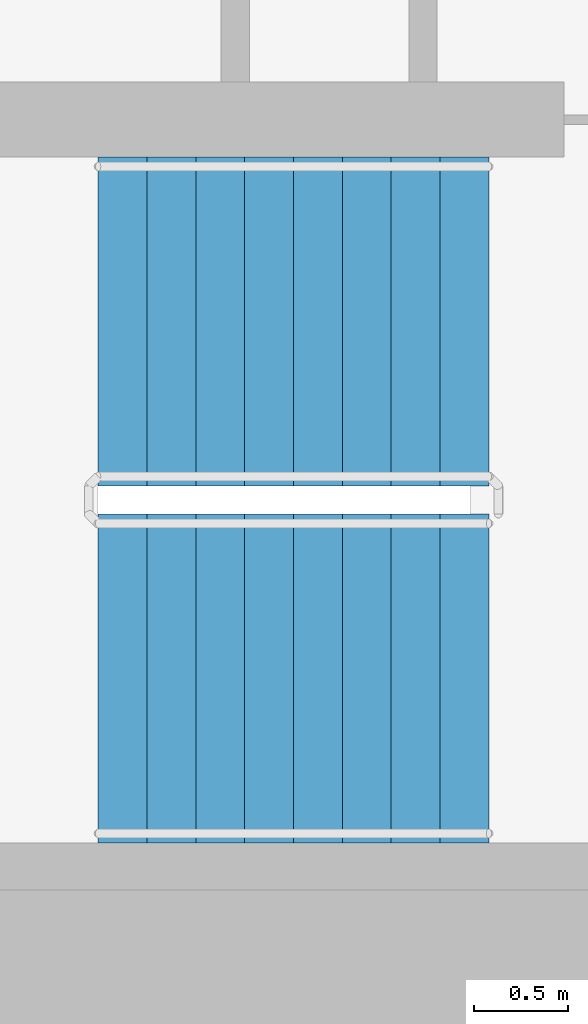
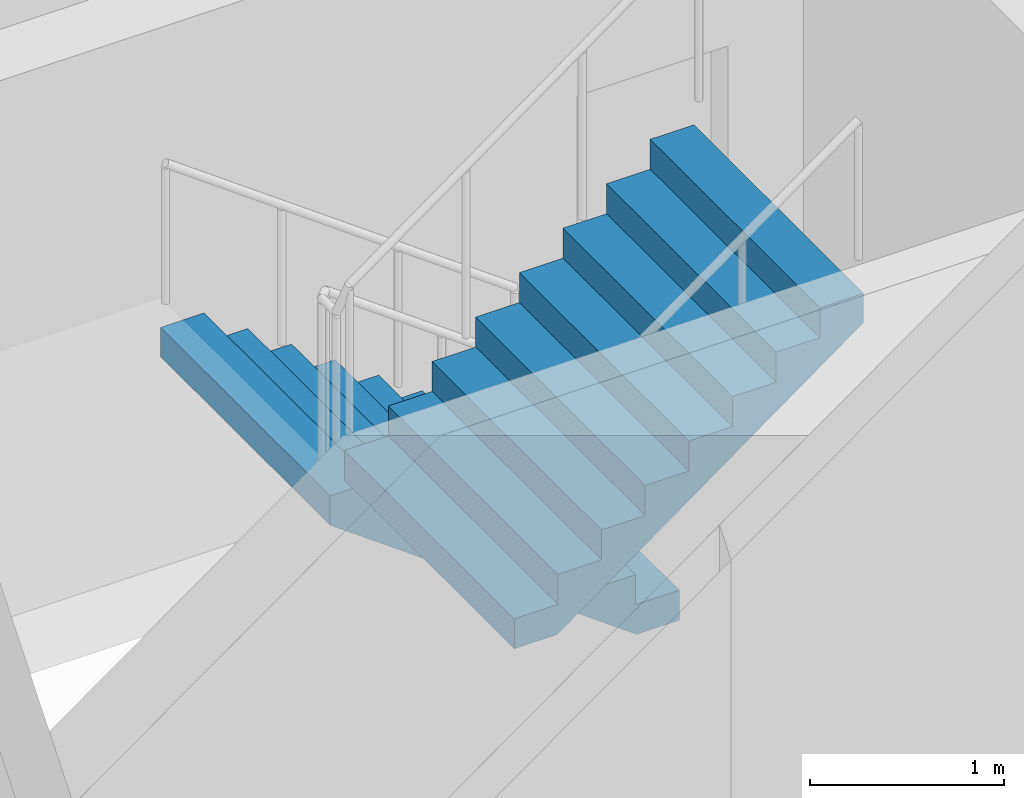
# One storey, part 15 of 21: 2 stair flights, 1 element without a shape of its own.
"""IFC4 building model written with IfcOpenShell, lengths in metres."""

from ifc_helpers import new_model, si_unit, direction, frame, origin, place, context, subcontext, project, spatial, faceted_brep, material, type_object, element, aggregate, save


model = new_model("IFC4")

# Units and contexts
model_context = context("Model", 3, precision=1e-05, world=origin(), true_north=direction((0.0, 1.0)))
body_context = subcontext(model_context, "Body", "Model", "MODEL_VIEW")
ifc_project = project(units=[si_unit("LENGTHUNIT", "METRE"), si_unit("AREAUNIT", "SQUARE_METRE"), si_unit("VOLUMEUNIT", "CUBIC_METRE"), si_unit("PLANEANGLEUNIT", "RADIAN"), si_unit("MASSUNIT", "GRAM", prefix="KILO")], contexts=[model_context])

# Site, building, storey
site_placement = place(None, origin())
site = spatial("IfcSite", under=ifc_project, at=site_placement, CompositionType="ELEMENT")
building_placement = place(site_placement, origin())
building = spatial("IfcBuilding", under=site, at=building_placement, Name="Ipe Terrace Towers", CompositionType="ELEMENT")
storey_placement = place(building_placement, frame((0.0, 0.0, 93.60009765625)))
storey = spatial("IfcBuildingStorey", under=building, at=storey_placement, Name="L25", CompositionType="ELEMENT", Elevation=93.60009765625)

# Stair, stair flights
ifc_material_1 = material(Name="Concrete C30/37", Category="concrete")
stair_type = type_object("IfcStairType", Name="Protected exit stair", PredefinedType="HALF_TURN_STAIR", material=ifc_material_1)
stair_placement = place(storey_placement, origin())
stair = element("IfcStair", 1, at=stair_placement, inside=storey, type_object=stair_type, Name="L25 Exit stair T1-C2", PredefinedType="HALF_TURN_STAIR")
ifc_material_2 = material(Name="Concrete C30/37", Category="concrete")
stair_flight_type = type_object("IfcStairFlightType", Name="Exit stair flight 1750", PredefinedType="STRAIGHT", material=ifc_material_2)
stair_flight_1_placement = place(storey_placement, frame((-45.699951171875, -2.77490234375, 0.0), z_axis=(0.0, 0.0, 1.0), x_axis=(-1.0, 0.0, 0.0)))
stair_flight_1 = element("IfcStairFlight", 2, at=stair_flight_1_placement, type_object=stair_flight_type, Name="T1-ST2 flight 1", NumberOfRisers=9, NumberOfTreads=8, PredefinedType="STRAIGHT", RiserHeight=0.188888889, TreadLength=0.26, context=body_context, shape_type="Brep", body=[
    faceted_brep([(0.255126953125, -0.875, 0.0), (2.080078125, -0.875, 1.325927734375), (2.080078125, -0.875, 1.51123046875), (1.820068359375, -0.875, 1.51123046875), (1.820068359375, -0.875, 1.322265625), (1.56005859375, -0.875, 1.322265625), (1.56005859375, -0.875, 1.13330078125), (1.300048828125, -0.875, 1.13330078125), (1.300048828125, -0.875, 0.9443359375), (1.0400390625, -0.875, 0.9443359375), (1.0400390625, -0.875, 0.755615234375), (0.780029296875, -0.875, 0.755615234375), (0.780029296875, -0.875, 0.566650390625), (0.52001953125, -0.875, 0.566650390625), (0.52001953125, -0.875, 0.377685546875), (0.260009765625, -0.875, 0.377685546875), (0.260009765625, -0.875, 0.18896484375), (0.0, -0.875, 0.18896484375), (0.0, -0.875, 0.0), (0.0, 0.875, 0.0), (0.0, 0.875, 0.18896484375), (0.260009765625, 0.875, 0.18896484375), (0.260009765625, 0.875, 0.377685546875), (0.52001953125, 0.875, 0.377685546875), (0.52001953125, 0.875, 0.566650390625), (0.780029296875, 0.875, 0.566650390625), (0.780029296875, 0.875, 0.755615234375), (1.0400390625, 0.875, 0.755615234375), (1.0400390625, 0.875, 0.9443359375), (1.300048828125, 0.875, 0.9443359375), (1.300048828125, 0.875, 1.13330078125), (1.56005859375, 0.875, 1.13330078125), (1.56005859375, 0.875, 1.322265625), (1.820068359375, 0.875, 1.322265625), (1.820068359375, 0.875, 1.51123046875), (2.080078125, 0.875, 1.51123046875), (2.080078125, 0.875, 1.325927734375), (0.255126953125, 0.875, 0.0), (0.0, -0.300048828125, 0.18896484375), (0.0, -0.1201171875, 0.18896484375), (0.0, -0.06005859375, 0.18896484375), (0.0, -0.030029296875, 0.18896484375), (0.0, -0.010009765625, 0.18896484375), (0.0, 0.0, 0.18896484375), (0.0, 0.010009765625, 0.18896484375), (0.0, 0.030029296875, 0.18896484375), (0.0, 0.06005859375, 0.18896484375), (0.0, 0.1201171875, 0.18896484375), (0.0, 0.300048828125, 0.18896484375), (0.0, 0.300048828125, 0.0), (0.0, 0.1201171875, 0.0), (0.0, 0.06005859375, 0.0), (0.0, 0.030029296875, 0.0), (0.0, 0.010009765625, 0.0), (0.0, 0.0, 0.0), (0.0, -0.010009765625, 0.0), (0.0, -0.030029296875, 0.0), (0.0, -0.06005859375, 0.0), (0.0, -0.1201171875, 0.0), (0.0, -0.300048828125, 0.0), (0.260009765625, -0.300048828125, 0.18896484375), (0.260009765625, -0.1201171875, 0.18896484375), (0.260009765625, -0.06005859375, 0.18896484375), (0.260009765625, -0.030029296875, 0.18896484375), (0.260009765625, -0.010009765625, 0.18896484375), (0.260009765625, 0.0, 0.18896484375), (0.260009765625, 0.010009765625, 0.18896484375), (0.260009765625, 0.030029296875, 0.18896484375), (0.260009765625, 0.06005859375, 0.18896484375), (0.260009765625, 0.1201171875, 0.18896484375), (0.260009765625, 0.300048828125, 0.18896484375), (0.260009765625, -0.300048828125, 0.377685546875), (0.260009765625, -0.1201171875, 0.377685546875), (0.260009765625, -0.06005859375, 0.377685546875), (0.260009765625, -0.030029296875, 0.377685546875), (0.260009765625, -0.010009765625, 0.377685546875), (0.260009765625, 0.0, 0.377685546875), (0.260009765625, 0.010009765625, 0.377685546875), (0.260009765625, 0.030029296875, 0.377685546875), (0.260009765625, 0.06005859375, 0.377685546875), (0.260009765625, 0.1201171875, 0.377685546875), (0.260009765625, 0.300048828125, 0.377685546875), (0.52001953125, -0.300048828125, 0.377685546875), (0.52001953125, -0.1201171875, 0.377685546875), (0.52001953125, -0.06005859375, 0.377685546875), (0.52001953125, -0.030029296875, 0.377685546875), (0.52001953125, -0.010009765625, 0.377685546875), (0.52001953125, 0.0, 0.377685546875), (0.52001953125, 0.010009765625, 0.377685546875), (0.52001953125, 0.030029296875, 0.377685546875), (0.52001953125, 0.06005859375, 0.377685546875), (0.52001953125, 0.1201171875, 0.377685546875), (0.52001953125, 0.300048828125, 0.377685546875), (0.52001953125, -0.300048828125, 0.566650390625), (0.52001953125, -0.1201171875, 0.566650390625), (0.52001953125, -0.06005859375, 0.566650390625), (0.52001953125, -0.030029296875, 0.566650390625), (0.52001953125, -0.010009765625, 0.566650390625), (0.52001953125, 0.0, 0.566650390625), (0.52001953125, 0.010009765625, 0.566650390625), (0.52001953125, 0.030029296875, 0.566650390625), (0.52001953125, 0.06005859375, 0.566650390625), (0.52001953125, 0.1201171875, 0.566650390625), (0.52001953125, 0.300048828125, 0.566650390625), (0.780029296875, -0.300048828125, 0.566650390625), (0.780029296875, -0.1201171875, 0.566650390625), (0.780029296875, -0.06005859375, 0.566650390625), (0.780029296875, -0.030029296875, 0.566650390625), (0.780029296875, -0.010009765625, 0.566650390625), (0.780029296875, 0.0, 0.566650390625), (0.780029296875, 0.010009765625, 0.566650390625), (0.780029296875, 0.030029296875, 0.566650390625), (0.780029296875, 0.06005859375, 0.566650390625), (0.780029296875, 0.1201171875, 0.566650390625), (0.780029296875, 0.300048828125, 0.566650390625), (0.780029296875, -0.300048828125, 0.755615234375), (0.780029296875, -0.1201171875, 0.755615234375), (0.780029296875, -0.06005859375, 0.755615234375), (0.780029296875, -0.030029296875, 0.755615234375), (0.780029296875, -0.010009765625, 0.755615234375), (0.780029296875, 0.0, 0.755615234375), (0.780029296875, 0.010009765625, 0.755615234375), (0.780029296875, 0.030029296875, 0.755615234375), (0.780029296875, 0.06005859375, 0.755615234375), (0.780029296875, 0.1201171875, 0.755615234375), (0.780029296875, 0.300048828125, 0.755615234375), (1.0400390625, -0.300048828125, 0.755615234375), (1.0400390625, -0.1201171875, 0.755615234375), (1.0400390625, -0.06005859375, 0.755615234375), (1.0400390625, -0.030029296875, 0.755615234375), (1.0400390625, -0.010009765625, 0.755615234375), (1.0400390625, 0.0, 0.755615234375), (1.0400390625, 0.010009765625, 0.755615234375), (1.0400390625, 0.030029296875, 0.755615234375), (1.0400390625, 0.06005859375, 0.755615234375), (1.0400390625, 0.1201171875, 0.755615234375), (1.0400390625, 0.300048828125, 0.755615234375), (1.0400390625, -0.300048828125, 0.9443359375), (1.0400390625, -0.1201171875, 0.9443359375), (1.0400390625, -0.06005859375, 0.9443359375), (1.0400390625, -0.030029296875, 0.9443359375), (1.0400390625, -0.010009765625, 0.9443359375), (1.0400390625, 0.0, 0.9443359375), (1.0400390625, 0.010009765625, 0.9443359375), (1.0400390625, 0.030029296875, 0.9443359375), (1.0400390625, 0.06005859375, 0.9443359375), (1.0400390625, 0.1201171875, 0.9443359375), (1.0400390625, 0.300048828125, 0.9443359375), (1.300048828125, -0.300048828125, 0.9443359375), (1.300048828125, -0.1201171875, 0.9443359375), (1.300048828125, -0.06005859375, 0.9443359375), (1.300048828125, -0.030029296875, 0.9443359375), (1.300048828125, -0.010009765625, 0.9443359375), (1.300048828125, 0.0, 0.9443359375), (1.300048828125, 0.010009765625, 0.9443359375), (1.300048828125, 0.030029296875, 0.9443359375), (1.300048828125, 0.06005859375, 0.9443359375), (1.300048828125, 0.1201171875, 0.9443359375), (1.300048828125, 0.300048828125, 0.9443359375), (1.300048828125, -0.300048828125, 1.13330078125), (1.300048828125, -0.1201171875, 1.13330078125), (1.300048828125, -0.06005859375, 1.13330078125), (1.300048828125, -0.030029296875, 1.13330078125), (1.300048828125, -0.010009765625, 1.13330078125), (1.300048828125, 0.0, 1.13330078125), (1.300048828125, 0.010009765625, 1.13330078125), (1.300048828125, 0.030029296875, 1.13330078125), (1.300048828125, 0.06005859375, 1.13330078125), (1.300048828125, 0.1201171875, 1.13330078125), (1.300048828125, 0.300048828125, 1.13330078125), (1.56005859375, -0.300048828125, 1.13330078125), (1.56005859375, -0.1201171875, 1.13330078125), (1.56005859375, -0.06005859375, 1.13330078125), (1.56005859375, -0.030029296875, 1.13330078125), (1.56005859375, -0.010009765625, 1.13330078125), (1.56005859375, 0.0, 1.13330078125), (1.56005859375, 0.010009765625, 1.13330078125), (1.56005859375, 0.030029296875, 1.13330078125), (1.56005859375, 0.06005859375, 1.13330078125), (1.56005859375, 0.1201171875, 1.13330078125), (1.56005859375, 0.300048828125, 1.13330078125), (1.56005859375, -0.300048828125, 1.322265625), (1.56005859375, -0.1201171875, 1.322265625), (1.56005859375, -0.06005859375, 1.322265625), (1.56005859375, -0.030029296875, 1.322265625), (1.56005859375, -0.010009765625, 1.322265625), (1.56005859375, 0.0, 1.322265625), (1.56005859375, 0.010009765625, 1.322265625), (1.56005859375, 0.030029296875, 1.322265625), (1.56005859375, 0.06005859375, 1.322265625), (1.56005859375, 0.1201171875, 1.322265625), (1.56005859375, 0.300048828125, 1.322265625), (1.820068359375, -0.300048828125, 1.322265625), (1.820068359375, -0.1201171875, 1.322265625), (1.820068359375, -0.06005859375, 1.322265625), (1.820068359375, -0.030029296875, 1.322265625), (1.820068359375, -0.010009765625, 1.322265625), (1.820068359375, 0.0, 1.322265625), (1.820068359375, 0.010009765625, 1.322265625), (1.820068359375, 0.030029296875, 1.322265625), (1.820068359375, 0.06005859375, 1.322265625), (1.820068359375, 0.1201171875, 1.322265625), (1.820068359375, 0.300048828125, 1.322265625), (1.820068359375, -0.300048828125, 1.51123046875), (1.820068359375, -0.1201171875, 1.51123046875), (1.820068359375, -0.06005859375, 1.51123046875), (1.820068359375, -0.030029296875, 1.51123046875), (1.820068359375, -0.010009765625, 1.51123046875), (1.820068359375, 0.0, 1.51123046875), (1.820068359375, 0.010009765625, 1.51123046875), (1.820068359375, 0.030029296875, 1.51123046875), (1.820068359375, 0.06005859375, 1.51123046875), (1.820068359375, 0.1201171875, 1.51123046875), (1.820068359375, 0.300048828125, 1.51123046875), (2.080078125, -0.300048828125, 1.51123046875), (2.080078125, -0.1201171875, 1.51123046875), (2.080078125, -0.06005859375, 1.51123046875), (2.080078125, -0.030029296875, 1.51123046875), (2.080078125, -0.010009765625, 1.51123046875), (2.080078125, 0.0, 1.51123046875), (2.080078125, 0.010009765625, 1.51123046875), (2.080078125, 0.030029296875, 1.51123046875), (2.080078125, 0.06005859375, 1.51123046875), (2.080078125, 0.1201171875, 1.51123046875), (2.080078125, 0.300048828125, 1.51123046875), (2.080078125, -0.300048828125, 1.325927734375), (2.080078125, -0.1201171875, 1.325927734375), (2.080078125, -0.06005859375, 1.325927734375), (2.080078125, -0.030029296875, 1.325927734375), (2.080078125, -0.010009765625, 1.325927734375), (2.080078125, 0.0, 1.325927734375), (2.080078125, 0.010009765625, 1.325927734375), (2.080078125, 0.030029296875, 1.325927734375), (2.080078125, 0.06005859375, 1.325927734375), (2.080078125, 0.1201171875, 1.325927734375), (2.080078125, 0.300048828125, 1.325927734375), (0.255126953125, -0.300048828125, 0.0), (0.255126953125, -0.1201171875, 0.0), (0.255126953125, -0.06005859375, 0.0), (0.255126953125, -0.030029296875, 0.0), (0.255126953125, -0.010009765625, 0.0), (0.255126953125, 0.0, 0.0), (0.255126953125, 0.010009765625, 0.0), (0.255126953125, 0.030029296875, 0.0), (0.255126953125, 0.06005859375, 0.0), (0.255126953125, 0.1201171875, 0.0), (0.255126953125, 0.300048828125, 0.0)], [[[0, 1, 2, 3, 4, 5, 6, 7, 8, 9, 10, 11, 12, 13, 14, 15, 16, 17, 18]], [[19, 20, 21, 22, 23, 24, 25, 26, 27, 28, 29, 30, 31, 32, 33, 34, 35, 36, 37]], [[17, 38, 39, 40, 41, 42, 43, 44, 45, 46, 47, 48, 20, 19, 49, 50, 51, 52, 53, 54, 55, 56, 57, 58, 59, 18]], [[16, 60, 61, 62, 63, 64, 65, 66, 67, 68, 69, 70, 21, 20, 48, 47, 46, 45, 44, 43, 42, 41, 40, 39, 38, 17]], [[15, 71, 72, 73, 74, 75, 76, 77, 78, 79, 80, 81, 22, 21, 70, 69, 68, 67, 66, 65, 64, 63, 62, 61, 60, 16]], [[14, 82, 83, 84, 85, 86, 87, 88, 89, 90, 91, 92, 23, 22, 81, 80, 79, 78, 77, 76, 75, 74, 73, 72, 71, 15]], [[13, 93, 94, 95, 96, 97, 98, 99, 100, 101, 102, 103, 24, 23, 92, 91, 90, 89, 88, 87, 86, 85, 84, 83, 82, 14]], [[12, 104, 105, 106, 107, 108, 109, 110, 111, 112, 113, 114, 25, 24, 103, 102, 101, 100, 99, 98, 97, 96, 95, 94, 93, 13]], [[11, 115, 116, 117, 118, 119, 120, 121, 122, 123, 124, 125, 26, 25, 114, 113, 112, 111, 110, 109, 108, 107, 106, 105, 104, 12]], [[10, 126, 127, 128, 129, 130, 131, 132, 133, 134, 135, 136, 27, 26, 125, 124, 123, 122, 121, 120, 119, 118, 117, 116, 115, 11]], [[9, 137, 138, 139, 140, 141, 142, 143, 144, 145, 146, 147, 28, 27, 136, 135, 134, 133, 132, 131, 130, 129, 128, 127, 126, 10]], [[8, 148, 149, 150, 151, 152, 153, 154, 155, 156, 157, 158, 29, 28, 147, 146, 145, 144, 143, 142, 141, 140, 139, 138, 137, 9]], [[7, 159, 160, 161, 162, 163, 164, 165, 166, 167, 168, 169, 30, 29, 158, 157, 156, 155, 154, 153, 152, 151, 150, 149, 148, 8]], [[6, 170, 171, 172, 173, 174, 175, 176, 177, 178, 179, 180, 31, 30, 169, 168, 167, 166, 165, 164, 163, 162, 161, 160, 159, 7]], [[5, 181, 182, 183, 184, 185, 186, 187, 188, 189, 190, 191, 32, 31, 180, 179, 178, 177, 176, 175, 174, 173, 172, 171, 170, 6]], [[4, 192, 193, 194, 195, 196, 197, 198, 199, 200, 201, 202, 33, 32, 191, 190, 189, 188, 187, 186, 185, 184, 183, 182, 181, 5]], [[3, 203, 204, 205, 206, 207, 208, 209, 210, 211, 212, 213, 34, 33, 202, 201, 200, 199, 198, 197, 196, 195, 194, 193, 192, 4]], [[2, 214, 215, 216, 217, 218, 219, 220, 221, 222, 223, 224, 35, 34, 213, 212, 211, 210, 209, 208, 207, 206, 205, 204, 203, 3]], [[1, 225, 226, 227, 228, 229, 230, 231, 232, 233, 234, 235, 36, 35, 224, 223, 222, 221, 220, 219, 218, 217, 216, 215, 214, 2]], [[0, 236, 237, 238, 239, 240, 241, 242, 243, 244, 245, 246, 37, 36, 235, 234, 233, 232, 231, 230, 229, 228, 227, 226, 225, 1]], [[18, 59, 58, 57, 56, 55, 54, 53, 52, 51, 50, 49, 19, 37, 246, 245, 244, 243, 242, 241, 240, 239, 238, 237, 236, 0]]]),
])
stair_flight_2_placement = place(storey_placement, frame((-47.780029296875, -4.675048828125, 1.699951171875), z_axis=(0.0, 0.0, 1.0), x_axis=(1.0, 0.0, 0.0)))
stair_flight_2 = element("IfcStairFlight", 3, at=stair_flight_2_placement, type_object=stair_flight_type, Name="T1-ST2 flight 2", NumberOfRisers=9, NumberOfTreads=8, PredefinedType="STRAIGHT", RiserHeight=0.188888889, TreadLength=0.26, context=body_context, shape_type="Brep", body=[
    faceted_brep([(0.255126953125, -0.875, 0.0), (2.080078125, -0.875, 1.325927734375), (2.080078125, -0.875, 1.51123046875), (1.820068359375, -0.875, 1.51123046875), (1.820068359375, -0.875, 1.322265625), (1.56005859375, -0.875, 1.322265625), (1.56005859375, -0.875, 1.13330078125), (1.300048828125, -0.875, 1.13330078125), (1.300048828125, -0.875, 0.9443359375), (1.0400390625, -0.875, 0.9443359375), (1.0400390625, -0.875, 0.755615234375), (0.780029296875, -0.875, 0.755615234375), (0.780029296875, -0.875, 0.566650390625), (0.52001953125, -0.875, 0.566650390625), (0.52001953125, -0.875, 0.377685546875), (0.260009765625, -0.875, 0.377685546875), (0.260009765625, -0.875, 0.18896484375), (0.0, -0.875, 0.18896484375), (0.0, -0.875, 0.0), (0.0, 0.875, 0.0), (0.0, 0.875, 0.18896484375), (0.260009765625, 0.875, 0.18896484375), (0.260009765625, 0.875, 0.377685546875), (0.52001953125, 0.875, 0.377685546875), (0.52001953125, 0.875, 0.566650390625), (0.780029296875, 0.875, 0.566650390625), (0.780029296875, 0.875, 0.755615234375), (1.0400390625, 0.875, 0.755615234375), (1.0400390625, 0.875, 0.9443359375), (1.300048828125, 0.875, 0.9443359375), (1.300048828125, 0.875, 1.13330078125), (1.56005859375, 0.875, 1.13330078125), (1.56005859375, 0.875, 1.322265625), (1.820068359375, 0.875, 1.322265625), (1.820068359375, 0.875, 1.51123046875), (2.080078125, 0.875, 1.51123046875), (2.080078125, 0.875, 1.325927734375), (0.255126953125, 0.875, 0.0), (0.0, -0.300048828125, 0.18896484375), (0.0, -0.1201171875, 0.18896484375), (0.0, -0.06005859375, 0.18896484375), (0.0, -0.030029296875, 0.18896484375), (0.0, -0.010009765625, 0.18896484375), (0.0, 0.0, 0.18896484375), (0.0, 0.010009765625, 0.18896484375), (0.0, 0.030029296875, 0.18896484375), (0.0, 0.06005859375, 0.18896484375), (0.0, 0.1201171875, 0.18896484375), (0.0, 0.300048828125, 0.18896484375), (0.0, 0.300048828125, 0.0), (0.0, 0.1201171875, 0.0), (0.0, 0.06005859375, 0.0), (0.0, 0.030029296875, 0.0), (0.0, 0.010009765625, 0.0), (0.0, 0.0, 0.0), (0.0, -0.010009765625, 0.0), (0.0, -0.030029296875, 0.0), (0.0, -0.06005859375, 0.0), (0.0, -0.1201171875, 0.0), (0.0, -0.300048828125, 0.0), (0.260009765625, -0.300048828125, 0.18896484375), (0.260009765625, -0.1201171875, 0.18896484375), (0.260009765625, -0.06005859375, 0.18896484375), (0.260009765625, -0.030029296875, 0.18896484375), (0.260009765625, -0.010009765625, 0.18896484375), (0.260009765625, 0.0, 0.18896484375), (0.260009765625, 0.010009765625, 0.18896484375), (0.260009765625, 0.030029296875, 0.18896484375), (0.260009765625, 0.06005859375, 0.18896484375), (0.260009765625, 0.1201171875, 0.18896484375), (0.260009765625, 0.300048828125, 0.18896484375), (0.260009765625, -0.300048828125, 0.377685546875), (0.260009765625, -0.1201171875, 0.377685546875), (0.260009765625, -0.06005859375, 0.377685546875), (0.260009765625, -0.030029296875, 0.377685546875), (0.260009765625, -0.010009765625, 0.377685546875), (0.260009765625, 0.0, 0.377685546875), (0.260009765625, 0.010009765625, 0.377685546875), (0.260009765625, 0.030029296875, 0.377685546875), (0.260009765625, 0.06005859375, 0.377685546875), (0.260009765625, 0.1201171875, 0.377685546875), (0.260009765625, 0.300048828125, 0.377685546875), (0.52001953125, -0.300048828125, 0.377685546875), (0.52001953125, -0.1201171875, 0.377685546875), (0.52001953125, -0.06005859375, 0.377685546875), (0.52001953125, -0.030029296875, 0.377685546875), (0.52001953125, -0.010009765625, 0.377685546875), (0.52001953125, 0.0, 0.377685546875), (0.52001953125, 0.010009765625, 0.377685546875), (0.52001953125, 0.030029296875, 0.377685546875), (0.52001953125, 0.06005859375, 0.377685546875), (0.52001953125, 0.1201171875, 0.377685546875), (0.52001953125, 0.300048828125, 0.377685546875), (0.52001953125, -0.300048828125, 0.566650390625), (0.52001953125, -0.1201171875, 0.566650390625), (0.52001953125, -0.06005859375, 0.566650390625), (0.52001953125, -0.030029296875, 0.566650390625), (0.52001953125, -0.010009765625, 0.566650390625), (0.52001953125, 0.0, 0.566650390625), (0.52001953125, 0.010009765625, 0.566650390625), (0.52001953125, 0.030029296875, 0.566650390625), (0.52001953125, 0.06005859375, 0.566650390625), (0.52001953125, 0.1201171875, 0.566650390625), (0.52001953125, 0.300048828125, 0.566650390625), (0.780029296875, -0.300048828125, 0.566650390625), (0.780029296875, -0.1201171875, 0.566650390625), (0.780029296875, -0.06005859375, 0.566650390625), (0.780029296875, -0.030029296875, 0.566650390625), (0.780029296875, -0.010009765625, 0.566650390625), (0.780029296875, 0.0, 0.566650390625), (0.780029296875, 0.010009765625, 0.566650390625), (0.780029296875, 0.030029296875, 0.566650390625), (0.780029296875, 0.06005859375, 0.566650390625), (0.780029296875, 0.1201171875, 0.566650390625), (0.780029296875, 0.300048828125, 0.566650390625), (0.780029296875, -0.300048828125, 0.755615234375), (0.780029296875, -0.1201171875, 0.755615234375), (0.780029296875, -0.06005859375, 0.755615234375), (0.780029296875, -0.030029296875, 0.755615234375), (0.780029296875, -0.010009765625, 0.755615234375), (0.780029296875, 0.0, 0.755615234375), (0.780029296875, 0.010009765625, 0.755615234375), (0.780029296875, 0.030029296875, 0.755615234375), (0.780029296875, 0.06005859375, 0.755615234375), (0.780029296875, 0.1201171875, 0.755615234375), (0.780029296875, 0.300048828125, 0.755615234375), (1.0400390625, -0.300048828125, 0.755615234375), (1.0400390625, -0.1201171875, 0.755615234375), (1.0400390625, -0.06005859375, 0.755615234375), (1.0400390625, -0.030029296875, 0.755615234375), (1.0400390625, -0.010009765625, 0.755615234375), (1.0400390625, 0.0, 0.755615234375), (1.0400390625, 0.010009765625, 0.755615234375), (1.0400390625, 0.030029296875, 0.755615234375), (1.0400390625, 0.06005859375, 0.755615234375), (1.0400390625, 0.1201171875, 0.755615234375), (1.0400390625, 0.300048828125, 0.755615234375), (1.0400390625, -0.300048828125, 0.9443359375), (1.0400390625, -0.1201171875, 0.9443359375), (1.0400390625, -0.06005859375, 0.9443359375), (1.0400390625, -0.030029296875, 0.9443359375), (1.0400390625, -0.010009765625, 0.9443359375), (1.0400390625, 0.0, 0.9443359375), (1.0400390625, 0.010009765625, 0.9443359375), (1.0400390625, 0.030029296875, 0.9443359375), (1.0400390625, 0.06005859375, 0.9443359375), (1.0400390625, 0.1201171875, 0.9443359375), (1.0400390625, 0.300048828125, 0.9443359375), (1.300048828125, -0.300048828125, 0.9443359375), (1.300048828125, -0.1201171875, 0.9443359375), (1.300048828125, -0.06005859375, 0.9443359375), (1.300048828125, -0.030029296875, 0.9443359375), (1.300048828125, -0.010009765625, 0.9443359375), (1.300048828125, 0.0, 0.9443359375), (1.300048828125, 0.010009765625, 0.9443359375), (1.300048828125, 0.030029296875, 0.9443359375), (1.300048828125, 0.06005859375, 0.9443359375), (1.300048828125, 0.1201171875, 0.9443359375), (1.300048828125, 0.300048828125, 0.9443359375), (1.300048828125, -0.300048828125, 1.13330078125), (1.300048828125, -0.1201171875, 1.13330078125), (1.300048828125, -0.06005859375, 1.13330078125), (1.300048828125, -0.030029296875, 1.13330078125), (1.300048828125, -0.010009765625, 1.13330078125), (1.300048828125, 0.0, 1.13330078125), (1.300048828125, 0.010009765625, 1.13330078125), (1.300048828125, 0.030029296875, 1.13330078125), (1.300048828125, 0.06005859375, 1.13330078125), (1.300048828125, 0.1201171875, 1.13330078125), (1.300048828125, 0.300048828125, 1.13330078125), (1.56005859375, -0.300048828125, 1.13330078125), (1.56005859375, -0.1201171875, 1.13330078125), (1.56005859375, -0.06005859375, 1.13330078125), (1.56005859375, -0.030029296875, 1.13330078125), (1.56005859375, -0.010009765625, 1.13330078125), (1.56005859375, 0.0, 1.13330078125), (1.56005859375, 0.010009765625, 1.13330078125), (1.56005859375, 0.030029296875, 1.13330078125), (1.56005859375, 0.06005859375, 1.13330078125), (1.56005859375, 0.1201171875, 1.13330078125), (1.56005859375, 0.300048828125, 1.13330078125), (1.56005859375, -0.300048828125, 1.322265625), (1.56005859375, -0.1201171875, 1.322265625), (1.56005859375, -0.06005859375, 1.322265625), (1.56005859375, -0.030029296875, 1.322265625), (1.56005859375, -0.010009765625, 1.322265625), (1.56005859375, 0.0, 1.322265625), (1.56005859375, 0.010009765625, 1.322265625), (1.56005859375, 0.030029296875, 1.322265625), (1.56005859375, 0.06005859375, 1.322265625), (1.56005859375, 0.1201171875, 1.322265625), (1.56005859375, 0.300048828125, 1.322265625), (1.820068359375, -0.300048828125, 1.322265625), (1.820068359375, -0.1201171875, 1.322265625), (1.820068359375, -0.06005859375, 1.322265625), (1.820068359375, -0.030029296875, 1.322265625), (1.820068359375, -0.010009765625, 1.322265625), (1.820068359375, 0.0, 1.322265625), (1.820068359375, 0.010009765625, 1.322265625), (1.820068359375, 0.030029296875, 1.322265625), (1.820068359375, 0.06005859375, 1.322265625), (1.820068359375, 0.1201171875, 1.322265625), (1.820068359375, 0.300048828125, 1.322265625), (1.820068359375, -0.300048828125, 1.51123046875), (1.820068359375, -0.1201171875, 1.51123046875), (1.820068359375, -0.06005859375, 1.51123046875), (1.820068359375, -0.030029296875, 1.51123046875), (1.820068359375, -0.010009765625, 1.51123046875), (1.820068359375, 0.0, 1.51123046875), (1.820068359375, 0.010009765625, 1.51123046875), (1.820068359375, 0.030029296875, 1.51123046875), (1.820068359375, 0.06005859375, 1.51123046875), (1.820068359375, 0.1201171875, 1.51123046875), (1.820068359375, 0.300048828125, 1.51123046875), (2.080078125, -0.300048828125, 1.51123046875), (2.080078125, -0.1201171875, 1.51123046875), (2.080078125, -0.06005859375, 1.51123046875), (2.080078125, -0.030029296875, 1.51123046875), (2.080078125, -0.010009765625, 1.51123046875), (2.080078125, 0.0, 1.51123046875), (2.080078125, 0.010009765625, 1.51123046875), (2.080078125, 0.030029296875, 1.51123046875), (2.080078125, 0.06005859375, 1.51123046875), (2.080078125, 0.1201171875, 1.51123046875), (2.080078125, 0.300048828125, 1.51123046875), (2.080078125, -0.300048828125, 1.325927734375), (2.080078125, -0.1201171875, 1.325927734375), (2.080078125, -0.06005859375, 1.325927734375), (2.080078125, -0.030029296875, 1.325927734375), (2.080078125, -0.010009765625, 1.325927734375), (2.080078125, 0.0, 1.325927734375), (2.080078125, 0.010009765625, 1.325927734375), (2.080078125, 0.030029296875, 1.325927734375), (2.080078125, 0.06005859375, 1.325927734375), (2.080078125, 0.1201171875, 1.325927734375), (2.080078125, 0.300048828125, 1.325927734375), (0.255126953125, -0.300048828125, 0.0), (0.255126953125, -0.1201171875, 0.0), (0.255126953125, -0.06005859375, 0.0), (0.255126953125, -0.030029296875, 0.0), (0.255126953125, -0.010009765625, 0.0), (0.255126953125, 0.0, 0.0), (0.255126953125, 0.010009765625, 0.0), (0.255126953125, 0.030029296875, 0.0), (0.255126953125, 0.06005859375, 0.0), (0.255126953125, 0.1201171875, 0.0), (0.255126953125, 0.300048828125, 0.0)], [[[0, 1, 2, 3, 4, 5, 6, 7, 8, 9, 10, 11, 12, 13, 14, 15, 16, 17, 18]], [[19, 20, 21, 22, 23, 24, 25, 26, 27, 28, 29, 30, 31, 32, 33, 34, 35, 36, 37]], [[17, 38, 39, 40, 41, 42, 43, 44, 45, 46, 47, 48, 20, 19, 49, 50, 51, 52, 53, 54, 55, 56, 57, 58, 59, 18]], [[16, 60, 61, 62, 63, 64, 65, 66, 67, 68, 69, 70, 21, 20, 48, 47, 46, 45, 44, 43, 42, 41, 40, 39, 38, 17]], [[15, 71, 72, 73, 74, 75, 76, 77, 78, 79, 80, 81, 22, 21, 70, 69, 68, 67, 66, 65, 64, 63, 62, 61, 60, 16]], [[14, 82, 83, 84, 85, 86, 87, 88, 89, 90, 91, 92, 23, 22, 81, 80, 79, 78, 77, 76, 75, 74, 73, 72, 71, 15]], [[13, 93, 94, 95, 96, 97, 98, 99, 100, 101, 102, 103, 24, 23, 92, 91, 90, 89, 88, 87, 86, 85, 84, 83, 82, 14]], [[12, 104, 105, 106, 107, 108, 109, 110, 111, 112, 113, 114, 25, 24, 103, 102, 101, 100, 99, 98, 97, 96, 95, 94, 93, 13]], [[11, 115, 116, 117, 118, 119, 120, 121, 122, 123, 124, 125, 26, 25, 114, 113, 112, 111, 110, 109, 108, 107, 106, 105, 104, 12]], [[10, 126, 127, 128, 129, 130, 131, 132, 133, 134, 135, 136, 27, 26, 125, 124, 123, 122, 121, 120, 119, 118, 117, 116, 115, 11]], [[9, 137, 138, 139, 140, 141, 142, 143, 144, 145, 146, 147, 28, 27, 136, 135, 134, 133, 132, 131, 130, 129, 128, 127, 126, 10]], [[8, 148, 149, 150, 151, 152, 153, 154, 155, 156, 157, 158, 29, 28, 147, 146, 145, 144, 143, 142, 141, 140, 139, 138, 137, 9]], [[7, 159, 160, 161, 162, 163, 164, 165, 166, 167, 168, 169, 30, 29, 158, 157, 156, 155, 154, 153, 152, 151, 150, 149, 148, 8]], [[6, 170, 171, 172, 173, 174, 175, 176, 177, 178, 179, 180, 31, 30, 169, 168, 167, 166, 165, 164, 163, 162, 161, 160, 159, 7]], [[5, 181, 182, 183, 184, 185, 186, 187, 188, 189, 190, 191, 32, 31, 180, 179, 178, 177, 176, 175, 174, 173, 172, 171, 170, 6]], [[4, 192, 193, 194, 195, 196, 197, 198, 199, 200, 201, 202, 33, 32, 191, 190, 189, 188, 187, 186, 185, 184, 183, 182, 181, 5]], [[3, 203, 204, 205, 206, 207, 208, 209, 210, 211, 212, 213, 34, 33, 202, 201, 200, 199, 198, 197, 196, 195, 194, 193, 192, 4]], [[2, 214, 215, 216, 217, 218, 219, 220, 221, 222, 223, 224, 35, 34, 213, 212, 211, 210, 209, 208, 207, 206, 205, 204, 203, 3]], [[1, 225, 226, 227, 228, 229, 230, 231, 232, 233, 234, 235, 36, 35, 224, 223, 222, 221, 220, 219, 218, 217, 216, 215, 214, 2]], [[0, 236, 237, 238, 239, 240, 241, 242, 243, 244, 245, 246, 37, 36, 235, 234, 233, 232, 231, 230, 229, 228, 227, 226, 225, 1]], [[18, 59, 58, 57, 56, 55, 54, 53, 52, 51, 50, 49, 19, 37, 246, 245, 244, 243, 242, 241, 240, 239, 238, 237, 236, 0]]]),
])
aggregate(stair, [stair_flight_1, stair_flight_2])

save(model, "model.ifc")
